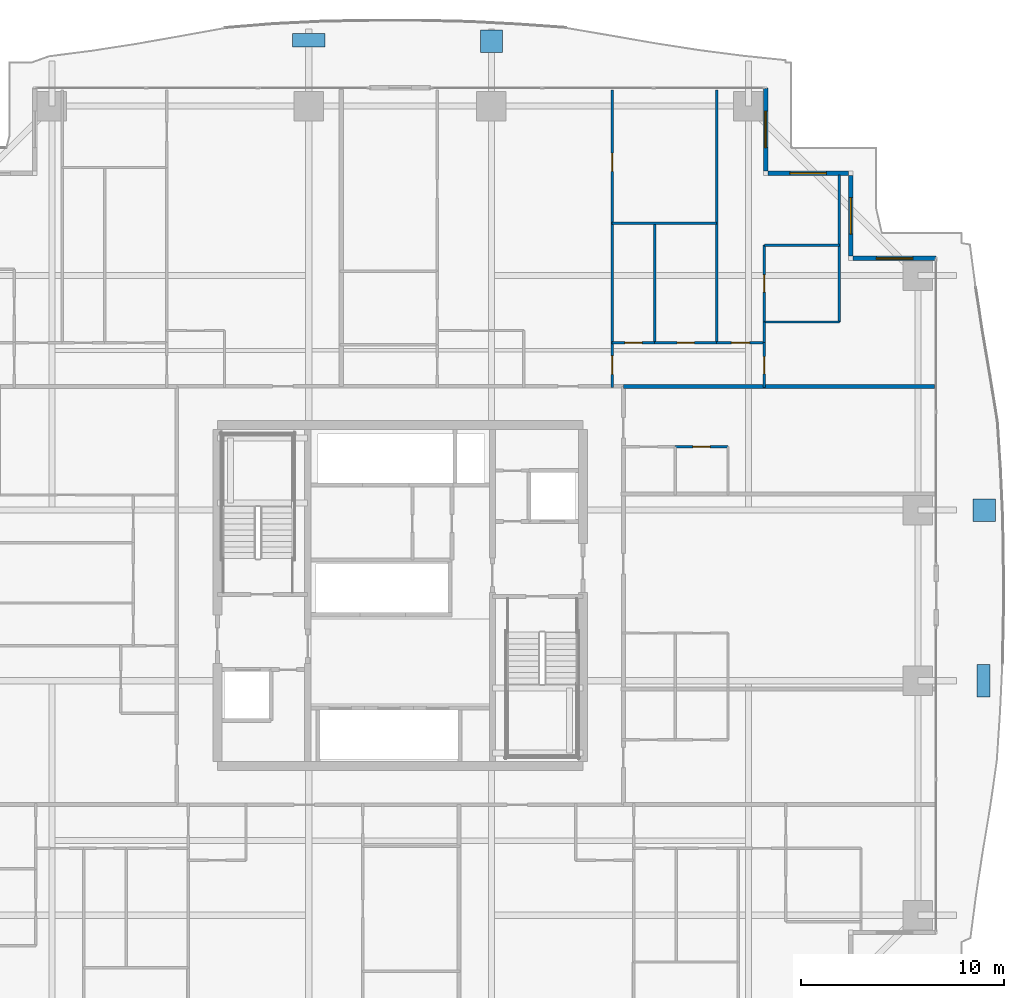
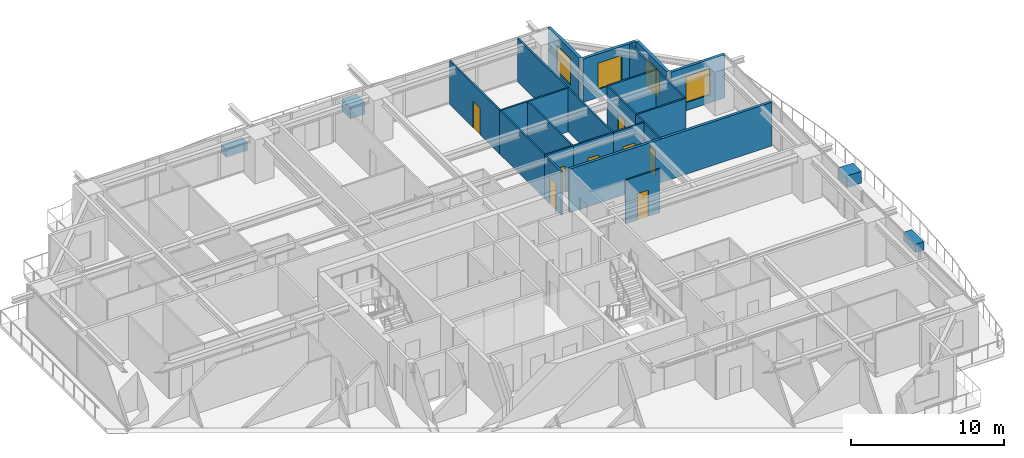
# One storey, part 32 of 38: 21 walls, 8 doors, 4 discrete accessories, 4 windows, 12 openings.
"""IFC4 building model written with IfcOpenShell, lengths in metres."""

from ifc_helpers import new_model, si_unit, direction, frame, frame_2d, origin, origin_2d, place, context, subcontext, project, spatial, rectangle, extrude, source, transform, mapped, material, layer, layer_set, type_object, element, fill, save


model = new_model("IFC4")

# Units and contexts
model_context = context("Model", 3, precision=1e-05, world=origin(), true_north=direction((0.0, 1.0)))
body_context = subcontext(model_context, "Body", "Model", "MODEL_VIEW")
ifc_project = project(units=[si_unit("LENGTHUNIT", "METRE"), si_unit("AREAUNIT", "SQUARE_METRE"), si_unit("VOLUMEUNIT", "CUBIC_METRE"), si_unit("PLANEANGLEUNIT", "RADIAN"), si_unit("MASSUNIT", "GRAM", prefix="KILO")], contexts=[model_context])

# Site, building, storey
site_placement = place(None, origin())
site = spatial("IfcSite", under=ifc_project, at=site_placement, CompositionType="ELEMENT")
building_placement = place(site_placement, origin())
building = spatial("IfcBuilding", under=site, at=building_placement, Name="Serunith Strait Residences", CompositionType="ELEMENT")
storey_placement = place(building_placement, frame((0.0, 0.0, 82.949951171875)))
storey = spatial("IfcBuildingStorey", under=building, at=storey_placement, Name="L20", CompositionType="ELEMENT", Elevation=82.949951171875)

# Wall, opening, window
ifc_material_1 = material(Name="Pale-Champagne Aluminium Insulated Panel", Category="aluminium")
ifc_layer_1 = layer(ifc_material_1, 0.219970703125, Name="Pale-Champagne Aluminium Insulated Panel")
ifc_layer_set_1 = layer_set([ifc_layer_1], Name="Pale-Champagne Aluminium Insulated Panel")
wall_type_1 = type_object("IfcWallType", Name="EW-ALUM-220", PredefinedType="ELEMENTEDWALL", material=ifc_layer_set_1)
wall_1_placement = place(storey_placement, frame((58.800048828125, 41.800048828125, 0.0), z_axis=(0.0, 0.0, 1.0), x_axis=(-1.0, 0.0, 0.0)))
wall_1 = element("IfcWall", 1, at=wall_1_placement, inside=storey, type_object=wall_type_1, Name="L20 Girih Serrated Corner Wall 07", PredefinedType="ELEMENTEDWALL", context=body_context, shape_type="SweptSolid", body=[
    extrude(rectangle(XDim=4.090087890625, YDim=0.219970703125, at=frame_2d((2.044921875, 0.0))), origin(), (0.0, 0.0, 1.0), 3.47509765625),
])
opening_1_placement = place(wall_1_placement, frame((1.14501953125, 0.0, 0.64990234375)))
opening_1 = element("IfcOpeningElement", 2, at=opening_1_placement, cuts=wall_1, Name="Opening W-01", PredefinedType="OPENING", context=body_context, shape_type="SweptSolid", body=[
    extrude(rectangle(XDim=1.800048828125, YDim=2.10009765625, at=frame_2d((0.89990234375, 1.050048828125))), frame((0.0, 0.1201171875, 0.0), z_axis=(0.0, -1.0, 0.0), x_axis=(1.0, 0.0, 0.0)), (0.0, 0.0, 1.0), 0.239990234375),
])
ifc_material_2 = material(Name="Ceramic-Fritted Operable Aluminium Window Glass", Category="aluminium")
window_type = type_object("IfcWindowType", Name="WIN-C1", PartitioningType="DOUBLE_PANEL_VERTICAL", PredefinedType="WINDOW", material=ifc_material_2)
shared_shape_1 = source(origin(), body_context, "Body", "SweptSolid", [
    extrude(rectangle(XDim=1.800048828125, YDim=2.10009765625, at=frame_2d((0.89990234375, 1.050048828125))), frame((0.0, 0.030029296875, 0.0), z_axis=(0.0, -1.0, 0.0), x_axis=(1.0, 0.0, 0.0)), (0.0, 0.0, 1.0), 0.06005859375),
])
window_1_placement = place(opening_1_placement, origin())
window_1 = element("IfcWindow", 3, at=window_1_placement, inside=storey, type_object=window_type, Name="L20 Corner Operable Fritted Window 07", OverallHeight=2.10009765625, OverallWidth=1.800048828125, PartitioningType="SINGLE_PANEL", PredefinedType="WINDOW", context=body_context, shape_type="MappedRepresentation", body=[
    mapped(shared_shape_1, transform((0.0, 0.0, 0.0), scale=1.0)),
])
fill(opening_1, window_1)

wall_2_placement = place(storey_placement, frame((54.60009765625, 41.909912109375, 0.0), z_axis=(0.0, 0.0, 1.0), x_axis=(0.0, 1.0, 0.0)))
wall_2 = element("IfcWall", 4, at=wall_2_placement, inside=storey, type_object=wall_type_1, Name="L20 Girih Serrated Corner Wall 08", PredefinedType="ELEMENTEDWALL", context=body_context, shape_type="SweptSolid", body=[
    extrude(rectangle(XDim=3.97998046875, YDim=0.219970703125, at=frame_2d((1.989990234375, 0.0))), origin(), (0.0, 0.0, 1.0), 3.47509765625),
])
opening_2_placement = place(wall_2_placement, frame((1.090087890625, 0.0, 0.64990234375)))
opening_2 = element("IfcOpeningElement", 5, at=opening_2_placement, cuts=wall_2, Name="Opening W-01", PredefinedType="OPENING", context=body_context, shape_type="SweptSolid", body=[
    extrude(rectangle(XDim=1.800048828125, YDim=2.10009765625, at=frame_2d((0.89990234375, 1.050048828125))), frame((0.0, 0.1201171875, 0.0), z_axis=(0.0, -1.0, 0.0), x_axis=(1.0, 0.0, 0.0)), (0.0, 0.0, 1.0), 0.239990234375),
])
window_2_placement = place(opening_2_placement, origin())
window_2 = element("IfcWindow", 6, at=window_2_placement, inside=storey, type_object=window_type, Name="L20 Corner Operable Fritted Window 08", OverallHeight=2.10009765625, OverallWidth=1.800048828125, PartitioningType="SINGLE_PANEL", PredefinedType="WINDOW", context=body_context, shape_type="MappedRepresentation", body=[
    mapped(shared_shape_1, transform((0.0, 0.0, 0.0), scale=1.0)),
])
fill(opening_2, window_2)

wall_3_placement = place(storey_placement, frame((54.489990234375, 46.0, 0.0), z_axis=(0.0, 0.0, 1.0), x_axis=(-1.0, 0.0, 0.0)))
wall_3 = element("IfcWall", 7, at=wall_3_placement, inside=storey, type_object=wall_type_1, Name="L20 Girih Serrated Corner Wall 09", PredefinedType="ELEMENTEDWALL", context=body_context, shape_type="SweptSolid", body=[
    extrude(rectangle(XDim=3.97998046875, YDim=0.219970703125, at=frame_2d((1.989990234375, 0.0))), origin(), (0.0, 0.0, 1.0), 3.47509765625),
])
opening_3_placement = place(wall_3_placement, frame((1.090087890625, 0.0, 0.64990234375)))
opening_3 = element("IfcOpeningElement", 8, at=opening_3_placement, cuts=wall_3, Name="Opening W-01", PredefinedType="OPENING", context=body_context, shape_type="SweptSolid", body=[
    extrude(rectangle(XDim=1.800048828125, YDim=2.10009765625, at=frame_2d((0.89990234375, 1.050048828125))), frame((0.0, 0.1201171875, 0.0), z_axis=(0.0, -1.0, 0.0), x_axis=(1.0, 0.0, 0.0)), (0.0, 0.0, 1.0), 0.239990234375),
])
window_3_placement = place(opening_3_placement, origin())
window_3 = element("IfcWindow", 9, at=window_3_placement, inside=storey, type_object=window_type, Name="L20 Corner Operable Fritted Window 09", OverallHeight=2.10009765625, OverallWidth=1.800048828125, PartitioningType="SINGLE_PANEL", PredefinedType="WINDOW", context=body_context, shape_type="MappedRepresentation", body=[
    mapped(shared_shape_1, transform((0.0, 0.0, 0.0), scale=1.0)),
])
fill(opening_3, window_3)

wall_4_placement = place(storey_placement, frame((50.39990234375, 46.110107421875, 0.0), z_axis=(0.0, 0.0, 1.0), x_axis=(0.0, 1.0, 0.0)))
wall_4 = element("IfcWall", 10, at=wall_4_placement, inside=storey, type_object=wall_type_1, Name="L20 Girih Serrated Corner Wall 10", PredefinedType="ELEMENTEDWALL", context=body_context, shape_type="SweptSolid", body=[
    extrude(rectangle(XDim=4.08984375, YDim=0.219970703125, at=frame_2d((2.044921875, 0.0))), origin(), (0.0, 0.0, 1.0), 3.47509765625),
])
opening_4_placement = place(wall_4_placement, frame((1.14501953125, 0.0, 0.64990234375)))
opening_4 = element("IfcOpeningElement", 11, at=opening_4_placement, cuts=wall_4, Name="Opening W-01", PredefinedType="OPENING", context=body_context, shape_type="SweptSolid", body=[
    extrude(rectangle(XDim=1.800048828125, YDim=2.10009765625, at=frame_2d((0.89990234375, 1.050048828125))), frame((0.0, 0.1201171875, 0.0), z_axis=(0.0, -1.0, 0.0), x_axis=(1.0, 0.0, 0.0)), (0.0, 0.0, 1.0), 0.239990234375),
])
window_4_placement = place(opening_4_placement, origin())
window_4 = element("IfcWindow", 12, at=window_4_placement, inside=storey, type_object=window_type, Name="L20 Corner Operable Fritted Window 10", OverallHeight=2.10009765625, OverallWidth=1.800048828125, PartitioningType="SINGLE_PANEL", PredefinedType="WINDOW", context=body_context, shape_type="MappedRepresentation", body=[
    mapped(shared_shape_1, transform((0.0, 0.0, 0.0), scale=1.0)),
])
fill(opening_4, window_4)

# Wall, opening, door
ifc_material_3 = material(Name="Lightweight steel-stud gypsum partition", Category="steel")
ifc_layer_2 = layer(ifc_material_3, 0.1201171875, Name="Lightweight steel-stud gypsum partition")
ifc_layer_set_2 = layer_set([ifc_layer_2], Name="Lightweight steel-stud gypsum partition")
wall_type_2 = type_object("IfcWallType", Name="IW-PART-120", PredefinedType="PARTITIONING", material=ifc_layer_set_2)
wall_5_placement = place(storey_placement, frame((42.840087890625, 37.64990234375, 0.0), z_axis=(0.0, 0.0, 1.0), x_axis=(0.0, -1.0, 0.0)))
wall_5 = element("IfcWall", 13, at=wall_5_placement, inside=storey, type_object=wall_type_2, Name="L20 Partition Wall 088", PredefinedType="PARTITIONING", context=body_context, shape_type="SweptSolid", body=[
    extrude(rectangle(XDim=2.2099609375, YDim=0.1201171875, at=frame_2d((1.10498046875, 0.0))), origin(), (0.0, 0.0, 1.0), 3.489990234375),
])
opening_5_placement = place(wall_5_placement, frame((0.655029296875, 0.0, 0.0)))
opening_5 = element("IfcOpeningElement", 14, at=opening_5_placement, cuts=wall_5, Name="Opening D-RM900", PredefinedType="OPENING", context=body_context, shape_type="SweptSolid", body=[
    extrude(rectangle(XDim=0.89990234375, YDim=2.10009765625, at=frame_2d((0.449951171875, 1.050048828125))), frame((0.0, 0.070068359375, 0.0), z_axis=(0.0, -1.0, 0.0), x_axis=(1.0, 0.0, 0.0)), (0.0, 0.0, 1.0), 0.14013671875),
])
ifc_material_4 = material(Name="Engineered timber flush bedroom door", Category="wood")
door_type_1 = type_object("IfcDoorType", Name="ID-ROOM-900", OperationType="NOTDEFINED", PredefinedType="DOOR", material=ifc_material_4)
shared_shape_2 = source(origin(), body_context, "Body", "SweptSolid", [
    extrude(rectangle(XDim=0.89990234375, YDim=2.10009765625, at=frame_2d((0.449951171875, 1.050048828125))), frame((0.0, 0.02490234375, 0.0), z_axis=(0.0, -1.0, 0.0), x_axis=(1.0, 0.0, 0.0)), (0.0, 0.0, 1.0), 0.050048828125),
])
door_1_placement = place(opening_5_placement, origin())
door_1 = element("IfcDoor", 15, at=door_1_placement, inside=storey, type_object=door_type_1, Name="L20 Hall E 2004 Door", OperationType="SINGLE_SWING_RIGHT", OverallHeight=2.10009765625, OverallWidth=0.89990234375, PredefinedType="DOOR", context=body_context, shape_type="MappedRepresentation", body=[
    mapped(shared_shape_2, transform((0.0, 0.0, 0.0), scale=1.0)),
])
fill(opening_5, door_1)

wall_6_placement = place(storey_placement, frame((42.840087890625, 50.10498046875, 0.0), z_axis=(0.0, 0.0, 1.0), x_axis=(0.0, -1.0, 0.0)))
wall_6 = element("IfcWall", 16, at=wall_6_placement, inside=storey, type_object=wall_type_2, Name="L20 Partition Wall 089", PredefinedType="PARTITIONING", context=body_context, shape_type="SweptSolid", body=[
    extrude(rectangle(XDim=6.56494140625, YDim=0.1201171875, at=frame_2d((3.282470703125, 0.0))), origin(), (0.0, 0.0, 1.0), 3.489990234375),
])
opening_6_placement = place(wall_6_placement, frame((3.115966796875, 0.0, 0.0)))
opening_6 = element("IfcOpeningElement", 17, at=opening_6_placement, cuts=wall_6, Name="Opening D-RM900", PredefinedType="OPENING", context=body_context, shape_type="SweptSolid", body=[
    extrude(rectangle(XDim=0.89990234375, YDim=2.10009765625, at=frame_2d((0.449951171875, 1.050048828125))), frame((0.0, 0.070068359375, 0.0), z_axis=(0.0, -1.0, 0.0), x_axis=(1.0, 0.0, 0.0)), (0.0, 0.0, 1.0), 0.14013671875),
])
door_2_placement = place(opening_6_placement, origin())
door_2 = element("IfcDoor", 18, at=door_2_placement, inside=storey, type_object=door_type_1, Name="L20 Formal Dining Room 2 2004 Door", OperationType="SINGLE_SWING_LEFT", OverallHeight=2.10009765625, OverallWidth=0.89990234375, PredefinedType="DOOR", context=body_context, shape_type="MappedRepresentation", body=[
    mapped(shared_shape_2, transform((0.0, 0.0, 0.0), scale=1.0)),
])
fill(opening_6, door_2)

# Walls
wall_7_placement = place(storey_placement, frame((42.840087890625, 43.5380859375, 0.0), z_axis=(0.0, 0.0, 1.0), x_axis=(0.0, -1.0, 0.0)))
element("IfcWall", 19, at=wall_7_placement, inside=storey, type_object=wall_type_2, Name="L20 Partition Wall 090", PredefinedType="PARTITIONING", context=body_context, shape_type="SweptSolid", body=[
    extrude(rectangle(XDim=5.885986328125, YDim=0.1201171875, at=frame_2d((2.94287109375, 0.0))), origin(), (0.0, 0.0, 1.0), 3.489990234375),
])
wall_8_placement = place(storey_placement, frame((42.840087890625, 43.5400390625, 0.0), z_axis=(0.0, 0.0, 1.0), x_axis=(1.0, 0.0, 0.0)))
element("IfcWall", 20, at=wall_8_placement, inside=storey, type_object=wall_type_2, Name="L20 Partition Wall 091", PredefinedType="PARTITIONING", context=body_context, shape_type="SweptSolid", body=[
    extrude(rectangle(XDim=5.14990234375, YDim=0.1201171875, at=frame_2d((2.574951171875, 0.0))), origin(), (0.0, 0.0, 1.0), 3.489990234375),
])
wall_9_placement = place(storey_placement, frame((47.989990234375, 50.10498046875, 0.0), z_axis=(0.0, 0.0, 1.0), x_axis=(0.0, -1.0, 0.0)))
element("IfcWall", 21, at=wall_9_placement, inside=storey, type_object=wall_type_2, Name="L20 Partition Wall 092", PredefinedType="PARTITIONING", context=body_context, shape_type="SweptSolid", body=[
    extrude(rectangle(XDim=12.455078125, YDim=0.1201171875, at=frame_2d((6.2275390625, 0.0))), origin(), (0.0, 0.0, 1.0), 3.489990234375),
])
wall_10_placement = place(storey_placement, frame((44.93994140625, 43.5400390625, 0.0), z_axis=(0.0, 0.0, 1.0), x_axis=(0.0, -1.0, 0.0)))
element("IfcWall", 22, at=wall_10_placement, inside=storey, type_object=wall_type_2, Name="L20 Partition Wall 093", PredefinedType="PARTITIONING", context=body_context, shape_type="SweptSolid", body=[
    extrude(rectangle(XDim=5.89013671875, YDim=0.1201171875, at=frame_2d((2.945068359375, 0.0))), origin(), (0.0, 0.0, 1.0), 3.489990234375),
])

# Wall, opening, door
wall_11_placement = place(storey_placement, frame((42.840087890625, 37.64990234375, 0.0), z_axis=(0.0, 0.0, 1.0), x_axis=(1.0, 0.0, 0.0)))
wall_11 = element("IfcWall", 23, at=wall_11_placement, inside=storey, type_object=wall_type_2, Name="L20 Partition Wall 094", PredefinedType="PARTITIONING", context=body_context, shape_type="SweptSolid", body=[
    extrude(rectangle(XDim=2.099853515625, YDim=0.1201171875, at=frame_2d((1.0498046875, 0.0))), origin(), (0.0, 0.0, 1.0), 3.489990234375),
])
opening_7_placement = place(wall_11_placement, frame((0.625, 0.0, 0.0)))
opening_7 = element("IfcOpeningElement", 24, at=opening_7_placement, cuts=wall_11, Name="Opening D-RM850", PredefinedType="OPENING", context=body_context, shape_type="SweptSolid", body=[
    extrude(rectangle(XDim=0.85009765625, YDim=2.10009765625, at=frame_2d((0.425048828125, 1.050048828125))), frame((0.0, 0.070068359375, 0.0), z_axis=(0.0, -1.0, 0.0), x_axis=(1.0, 0.0, 0.0)), (0.0, 0.0, 1.0), 0.14013671875),
])
ifc_material_5 = material(Name="Engineered timber flush study and kitchen door", Category="wood")
door_type_2 = type_object("IfcDoorType", Name="ID-ROOM-850", OperationType="NOTDEFINED", PredefinedType="DOOR", material=ifc_material_5)
shared_shape_3 = source(origin(), body_context, "Body", "SweptSolid", [
    extrude(rectangle(XDim=0.85009765625, YDim=2.10009765625, at=frame_2d((0.425048828125, 1.050048828125))), frame((0.0, 0.02490234375, 0.0), z_axis=(0.0, -1.0, 0.0), x_axis=(1.0, 0.0, 0.0)), (0.0, 0.0, 1.0), 0.050048828125),
])
door_3_placement = place(opening_7_placement, origin())
door_3 = element("IfcDoor", 25, at=door_3_placement, inside=storey, type_object=door_type_2, Name="L20 Study 2004 Door", OperationType="SINGLE_SWING_RIGHT", OverallHeight=2.10009765625, OverallWidth=0.85009765625, PredefinedType="DOOR", context=body_context, shape_type="MappedRepresentation", body=[
    mapped(shared_shape_3, transform((0.0, 0.0, 0.0), scale=1.0)),
])
fill(opening_7, door_3)

wall_12_placement = place(storey_placement, frame((44.94189453125, 37.64990234375, 0.0), z_axis=(0.0, 0.0, 1.0), x_axis=(1.0, 0.0, 0.0)))
wall_12 = element("IfcWall", 26, at=wall_12_placement, inside=storey, type_object=wall_type_2, Name="L20 Partition Wall 095", PredefinedType="PARTITIONING", context=body_context, shape_type="SweptSolid", body=[
    extrude(rectangle(XDim=3.048095703125, YDim=0.1201171875, at=frame_2d((1.52392578125, 0.0))), origin(), (0.0, 0.0, 1.0), 3.489990234375),
])
opening_8_placement = place(wall_12_placement, frame((1.09912109375, 0.0, 0.0)))
opening_8 = element("IfcOpeningElement", 27, at=opening_8_placement, cuts=wall_12, Name="Opening D-RM850", PredefinedType="OPENING", context=body_context, shape_type="SweptSolid", body=[
    extrude(rectangle(XDim=0.85009765625, YDim=2.10009765625, at=frame_2d((0.425048828125, 1.050048828125))), frame((0.0, 0.070068359375, 0.0), z_axis=(0.0, -1.0, 0.0), x_axis=(1.0, 0.0, 0.0)), (0.0, 0.0, 1.0), 0.14013671875),
])
door_4_placement = place(opening_8_placement, origin())
door_4 = element("IfcDoor", 28, at=door_4_placement, inside=storey, type_object=door_type_2, Name="L20 Formal Dining Room 2004 Door", OperationType="SINGLE_SWING_LEFT", OverallHeight=2.10009765625, OverallWidth=0.85009765625, PredefinedType="DOOR", context=body_context, shape_type="MappedRepresentation", body=[
    mapped(shared_shape_3, transform((0.0, 0.0, 0.0), scale=1.0)),
])
fill(opening_8, door_4)

wall_13_placement = place(storey_placement, frame((47.991943359375, 37.64990234375, 0.0), z_axis=(0.0, 0.0, 1.0), x_axis=(1.0, 0.0, 0.0)))
wall_13 = element("IfcWall", 29, at=wall_13_placement, inside=storey, type_object=wall_type_2, Name="L20 Partition Wall 096", PredefinedType="PARTITIONING", context=body_context, shape_type="SweptSolid", body=[
    extrude(rectangle(XDim=2.34814453125, YDim=0.1201171875, at=frame_2d((1.174072265625, 0.0))), origin(), (0.0, 0.0, 1.0), 3.489990234375),
])
opening_9_placement = place(wall_13_placement, frame((0.72412109375, 0.0, 0.0)))
opening_9 = element("IfcOpeningElement", 30, at=opening_9_placement, cuts=wall_13, Name="Opening D-RM900", PredefinedType="OPENING", context=body_context, shape_type="SweptSolid", body=[
    extrude(rectangle(XDim=0.89990234375, YDim=2.10009765625, at=frame_2d((0.449951171875, 1.050048828125))), frame((0.0, 0.070068359375, 0.0), z_axis=(0.0, -1.0, 0.0), x_axis=(1.0, 0.0, 0.0)), (0.0, 0.0, 1.0), 0.14013671875),
])
door_5_placement = place(opening_9_placement, origin())
door_5 = element("IfcDoor", 31, at=door_5_placement, inside=storey, type_object=door_type_1, Name="L20 Master Bedroom E 2004 Door", OperationType="SINGLE_SWING_RIGHT", OverallHeight=2.10009765625, OverallWidth=0.89990234375, PredefinedType="DOOR", context=body_context, shape_type="MappedRepresentation", body=[
    mapped(shared_shape_2, transform((0.0, 0.0, 0.0), scale=1.0)),
])
fill(opening_9, door_5)

# Walls
wall_14_placement = place(storey_placement, frame((50.340087890625, 42.451904296875, 0.0), z_axis=(0.0, 0.0, 1.0), x_axis=(1.0, 0.0, 0.0)))
element("IfcWall", 32, at=wall_14_placement, inside=storey, type_object=wall_type_2, Name="L20 Partition Wall 097", PredefinedType="PARTITIONING", context=body_context, shape_type="SweptSolid", body=[
    extrude(rectangle(XDim=3.699951171875, YDim=0.1201171875, at=frame_2d((1.85009765625, 0.0))), origin(), (0.0, 0.0, 1.0), 3.489990234375),
])
wall_15_placement = place(storey_placement, frame((54.0400390625, 45.905029296875, 0.0), z_axis=(0.0, 0.0, 1.0), x_axis=(0.0, -1.0, 0.0)))
element("IfcWall", 33, at=wall_15_placement, inside=storey, type_object=wall_type_2, Name="L20 Partition Wall 098", PredefinedType="PARTITIONING", context=body_context, shape_type="SweptSolid", body=[
    extrude(rectangle(XDim=7.237060546875, YDim=0.1201171875, at=frame_2d((3.61865234375, 0.0))), origin(), (0.0, 0.0, 1.0), 3.489990234375),
])
wall_16_placement = place(storey_placement, frame((50.340087890625, 38.66796875, 0.0), z_axis=(0.0, 0.0, 1.0), x_axis=(1.0, 0.0, 0.0)))
element("IfcWall", 34, at=wall_16_placement, inside=storey, type_object=wall_type_2, Name="L20 Partition Wall 099", PredefinedType="PARTITIONING", context=body_context, shape_type="SweptSolid", body=[
    extrude(rectangle(XDim=3.699951171875, YDim=0.1201171875, at=frame_2d((1.85009765625, 0.0))), origin(), (0.0, 0.0, 1.0), 3.489990234375),
])

# Wall, opening, door
wall_17_placement = place(storey_placement, frame((50.340087890625, 42.451904296875, 0.0), z_axis=(0.0, 0.0, 1.0), x_axis=(0.0, -1.0, 0.0)))
wall_17 = element("IfcWall", 35, at=wall_17_placement, inside=storey, type_object=wall_type_2, Name="L20 Partition Wall 100", PredefinedType="PARTITIONING", context=body_context, shape_type="SweptSolid", body=[
    extrude(rectangle(XDim=3.783935546875, YDim=0.1201171875, at=frame_2d((1.89208984375, 0.0))), origin(), (0.0, 0.0, 1.0), 3.489990234375),
])
opening_10_placement = place(wall_17_placement, frame((1.467041015625, 0.0, 0.0)))
opening_10 = element("IfcOpeningElement", 36, at=opening_10_placement, cuts=wall_17, Name="Opening D-BTH850", PredefinedType="OPENING", context=body_context, shape_type="SweptSolid", body=[
    extrude(rectangle(XDim=0.85009765625, YDim=2.10009765625, at=frame_2d((0.425048828125, 1.050048828125))), frame((0.0, 0.070068359375, 0.0), z_axis=(0.0, -1.0, 0.0), x_axis=(1.0, 0.0, 0.0)), (0.0, 0.0, 1.0), 0.14013671875),
])
ifc_material_6 = material(Name="Moisture-resistant timber bathroom door", Category="wood")
door_type_3 = type_object("IfcDoorType", Name="ID-BATH-850", OperationType="NOTDEFINED", PredefinedType="DOOR", material=ifc_material_6)
door_6_placement = place(opening_10_placement, origin())
door_6 = element("IfcDoor", 37, at=door_6_placement, inside=storey, type_object=door_type_3, Name="L20 En-suite Bathroom E 2004 Door", OperationType="SINGLE_SWING_LEFT", OverallHeight=2.10009765625, OverallWidth=0.85009765625, PredefinedType="DOOR", context=body_context, shape_type="MappedRepresentation", body=[
    mapped(shared_shape_3, transform((0.0, 0.0, 0.0), scale=1.0)),
])
fill(opening_10, door_6)

# Wall
wall_18_placement = place(storey_placement, frame((50.340087890625, 38.666015625, 0.0), z_axis=(0.0, 0.0, 1.0), x_axis=(0.0, -1.0, 0.0)))
element("IfcWall", 38, at=wall_18_placement, inside=storey, type_object=wall_type_2, Name="L20 Partition Wall 101", PredefinedType="PARTITIONING", context=body_context, shape_type="SweptSolid", body=[
    extrude(rectangle(XDim=1.01611328125, YDim=0.1201171875, at=frame_2d((0.508056640625, 0.0))), origin(), (0.0, 0.0, 1.0), 3.489990234375),
])

# Wall, opening, door
wall_19_placement = place(storey_placement, frame((50.340087890625, 37.64794921875, 0.0), z_axis=(0.0, 0.0, 1.0), x_axis=(0.0, -1.0, 0.0)))
wall_19 = element("IfcWall", 39, at=wall_19_placement, inside=storey, type_object=wall_type_2, Name="L20 Partition Wall 102", PredefinedType="PARTITIONING", context=body_context, shape_type="SweptSolid", body=[
    extrude(rectangle(XDim=2.2080078125, YDim=0.1201171875, at=frame_2d((1.10400390625, 0.0))), origin(), (0.0, 0.0, 1.0), 3.489990234375),
])
opening_11_placement = place(wall_19_placement, frame((0.678955078125, 0.0, 0.0)))
opening_11 = element("IfcOpeningElement", 40, at=opening_11_placement, cuts=wall_19, Name="Opening D-RM850", PredefinedType="OPENING", context=body_context, shape_type="SweptSolid", body=[
    extrude(rectangle(XDim=0.85009765625, YDim=2.10009765625, at=frame_2d((0.425048828125, 1.050048828125))), frame((0.0, 0.070068359375, 0.0), z_axis=(0.0, -1.0, 0.0), x_axis=(1.0, 0.0, 0.0)), (0.0, 0.0, 1.0), 0.14013671875),
])
door_7_placement = place(opening_11_placement, origin())
door_7 = element("IfcDoor", 41, at=door_7_placement, inside=storey, type_object=door_type_2, Name="L20 Wardrobe E 2004 Door", OperationType="SINGLE_SWING_RIGHT", OverallHeight=2.10009765625, OverallWidth=0.85009765625, PredefinedType="DOOR", context=body_context, shape_type="MappedRepresentation", body=[
    mapped(shared_shape_3, transform((0.0, 0.0, 0.0), scale=1.0)),
])
fill(opening_11, door_7)

wall_20_placement = place(storey_placement, frame((48.550048828125, 32.530029296875, 0.0), z_axis=(0.0, 0.0, 1.0), x_axis=(-1.0, 0.0, 0.0)))
wall_20 = element("IfcWall", 42, at=wall_20_placement, inside=storey, type_object=wall_type_2, Name="L20 Partition Wall 127", PredefinedType="PARTITIONING", context=body_context, shape_type="SweptSolid", body=[
    extrude(rectangle(XDim=2.60009765625, YDim=0.1201171875, at=frame_2d((1.300048828125, 0.0))), origin(), (0.0, 0.0, 1.0), 3.489990234375),
])
opening_12_placement = place(wall_20_placement, frame((0.875, 0.0, 0.0)))
opening_12 = element("IfcOpeningElement", 43, at=opening_12_placement, cuts=wall_20, Name="Opening D-RM850", PredefinedType="OPENING", context=body_context, shape_type="SweptSolid", body=[
    extrude(rectangle(XDim=0.85009765625, YDim=2.10009765625, at=frame_2d((0.425048828125, 1.050048828125))), frame((0.0, 0.070068359375, 0.0), z_axis=(0.0, -1.0, 0.0), x_axis=(1.0, 0.0, 0.0)), (0.0, 0.0, 1.0), 0.14013671875),
])
door_8_placement = place(opening_12_placement, origin())
door_8 = element("IfcDoor", 44, at=door_8_placement, inside=storey, type_object=door_type_2, Name="L20 Kitchen 2008 Door", OperationType="SINGLE_SWING_LEFT", OverallHeight=2.10009765625, OverallWidth=0.85009765625, PredefinedType="DOOR", context=body_context, shape_type="MappedRepresentation", body=[
    mapped(shared_shape_3, transform((0.0, 0.0, 0.0), scale=1.0)),
])
fill(opening_12, door_8)

# Wall
ifc_material_7 = material(Name="Twin-stud acoustic gypsum board partition")
ifc_layer_3 = layer(ifc_material_7, 0.199951171875, Name="Twin-stud acoustic gypsum board partition")
ifc_layer_set_3 = layer_set([ifc_layer_3], Name="Twin-stud acoustic gypsum board partition")
wall_type_3 = type_object("IfcWallType", Name="IW-PARTY-200", PredefinedType="PARTITIONING", material=ifc_layer_set_3)
wall_21_placement = place(storey_placement, frame((43.39990234375, 35.5, 0.0), z_axis=(0.0, 0.0, 1.0), x_axis=(1.0, 0.0, 0.0)))
element("IfcWall", 45, at=wall_21_placement, inside=storey, type_object=wall_type_3, Name="L20 Partition Wall 022", PredefinedType="PARTITIONING", context=body_context, shape_type="SweptSolid", body=[
    extrude(rectangle(XDim=15.318115234375, YDim=0.199951171875, at=frame_2d((7.6591796875, 0.0))), origin(), (0.0, 0.0, 1.0), 3.489990234375),
])

# Discrete accessories
ifc_material_8 = material(Name="GFRC Root-Anchored Structural Planter")
discrete_accessory_type_1 = type_object("IfcDiscreteAccessoryType", Name="ACC-PLANTER-TREE", PredefinedType="USERDEFINED", material=ifc_material_8)
shared_shape_4 = source(origin(), body_context, "Body", "SweptSolid", [
    extrude(rectangle(XDim=1.10009765625, YDim=1.10009765625, at=origin_2d()), origin(), (0.0, 0.0, 1.0), 0.949951171875),
])
for number, where, z_axis, x_axis, name in (
    (46, (36.89990234375, 52.505126953125, -0.0498046875), (0.0, 0.0, 1.0), (-1.0, 0.0, 0.0), "L20 Vertical-Forest Tree Planter 07"),
    (47, (61.16796875, 29.39990234375, -0.0498046875), (0.0, 0.0, 1.0), (0.0, 1.0, 0.0), "L20 Vertical-Forest Tree Planter 11"),
):
    element("IfcDiscreteAccessory", number, at=place(storey_placement, frame(where, z_axis=z_axis, x_axis=x_axis)), inside=storey, type_object=discrete_accessory_type_1, Name=name, ObjectType="PLANTER", PredefinedType="USERDEFINED", context=body_context, shape_type="MappedRepresentation", body=[
        mapped(shared_shape_4, transform((0.0, 0.0, 0.0), scale=1.0)),
    ])
ifc_material_9 = material(Name="GFRC Irrigated Shrub Trough Planter")
discrete_accessory_type_2 = type_object("IfcDiscreteAccessoryType", Name="ACC-PLANTER-SHRUB", PredefinedType="USERDEFINED", material=ifc_material_9)
shared_shape_5 = source(origin(), body_context, "Body", "SweptSolid", [
    extrude(rectangle(XDim=1.60009765625, YDim=0.64990234375, at=origin_2d()), origin(), (0.0, 0.0, 1.0), 0.64990234375),
])
for number, where, z_axis, x_axis, name in (
    (48, (27.89990234375, 52.544677734375, -0.0498046875), (0.0, 0.0, 1.0), (-1.0, 0.0, 0.0), "L20 Vertical-Forest Shrub Planter 06"),
    (49, (61.130859375, 21.0, -0.0498046875), (0.0, 0.0, 1.0), (0.0, 1.0, 0.0), "L20 Vertical-Forest Shrub Planter 10"),
):
    element("IfcDiscreteAccessory", number, at=place(storey_placement, frame(where, z_axis=z_axis, x_axis=x_axis)), inside=storey, type_object=discrete_accessory_type_2, Name=name, ObjectType="PLANTER", PredefinedType="USERDEFINED", context=body_context, shape_type="MappedRepresentation", body=[
        mapped(shared_shape_5, transform((0.0, 0.0, 0.0), scale=1.0)),
    ])

save(model, "model.ifc")
